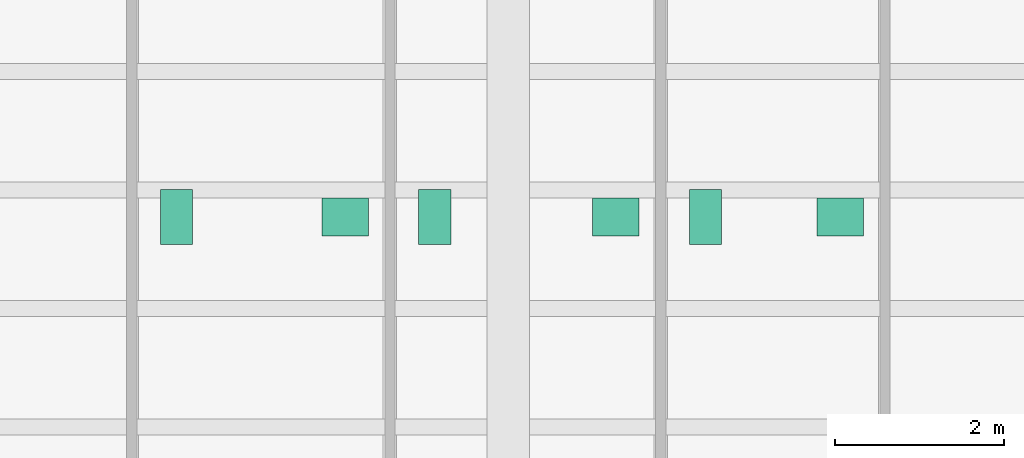
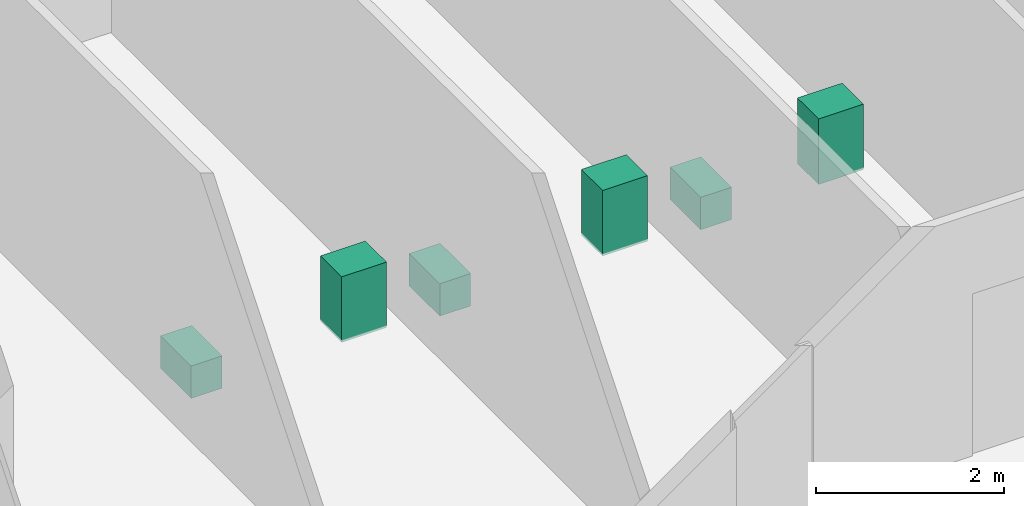
# One storey, part 9 of 9: 6 sanitary terminals.
"""IFC4 building model written with IfcOpenShell, lengths in metres."""

from ifc_helpers import new_model, si_unit, direction, frame, origin, origin_2d, place, context, subcontext, project, spatial, rectangle, extrude, material, type_object, element, save


model = new_model("IFC4")

# Units and contexts
model_context = context("Model", 3, precision=1e-05, world=origin(), true_north=direction((0.0, 1.0)))
body_context = subcontext(model_context, "Body", "Model", "MODEL_VIEW")
ifc_project = project(units=[si_unit("LENGTHUNIT", "METRE"), si_unit("AREAUNIT", "SQUARE_METRE"), si_unit("VOLUMEUNIT", "CUBIC_METRE"), si_unit("PLANEANGLEUNIT", "RADIAN"), si_unit("MASSUNIT", "GRAM", prefix="KILO")], contexts=[model_context])

# Site, building, storey
site_placement = place(None, origin())
site = spatial("IfcSite", under=ifc_project, at=site_placement, CompositionType="ELEMENT")
building_placement = place(site_placement, origin())
building = spatial("IfcBuilding", under=site, at=building_placement, Name="Kranthara Brick Stack", CompositionType="ELEMENT")
storey_placement = place(building_placement, frame((0.0, 0.0, 86.699951171875)))
storey = spatial("IfcBuildingStorey", under=building, at=storey_placement, Name="L21", CompositionType="ELEMENT", Elevation=86.699951171875)

# Sanitary terminals
ifc_material_1 = material(Name="Vitreous china sanitary porcelain", Category="other")
sanitary_terminal_type_1 = type_object("IfcSanitaryTerminalType", Name="SAN-BASIN", PredefinedType="WASHHANDBASIN", material=ifc_material_1)
for number, where, z_axis, x_axis, name in (
    (1, (26.070068359375, 29.985107421875, 0.0), (0.0, 0.0, 1.0), (1.0, 0.0, 0.0), "L21 Washbasin 65"),
    (2, (29.27001953125, 29.985107421875, 0.0), (0.0, 0.0, 1.0), (1.0, 0.0, 0.0), "L21 Washbasin 66"),
    (3, (31.919921875, 29.985107421875, 0.0), (0.0, 0.0, 1.0), (1.0, 0.0, 0.0), "L21 Washbasin 67"),
):
    element("IfcSanitaryTerminal", number, at=place(storey_placement, frame(where, z_axis=z_axis, x_axis=x_axis)), inside=storey, type_object=sanitary_terminal_type_1, Name=name, PredefinedType="WASHHANDBASIN", context=body_context, shape_type="SweptSolid", body=[
        extrude(rectangle(XDim=0.550048828125, YDim=0.449951171875, at=origin_2d()), origin(), (0.0, 0.0, 1.0), 0.85009765625),
    ])
ifc_material_2 = material(Name="Vitreous china sanitary porcelain", Category="other")
sanitary_terminal_type_2 = type_object("IfcSanitaryTerminalType", Name="SAN-WC-PAN", PredefinedType="TOILETPAN", material=ifc_material_2)
for number, where, z_axis, x_axis, name in (
    (4, (24.080078125, 29.985107421875, 0.0), (0.0, 0.0, 1.0), (1.0, 0.0, 0.0), "L21 WC Pan 65"),
    (5, (27.1298828125, 29.985107421875, 0.0), (0.0, 0.0, 1.0), (1.0, 0.0, 0.0), "L21 WC Pan 66"),
    (6, (30.330078125, 29.985107421875, 0.0), (0.0, 0.0, 1.0), (1.0, 0.0, 0.0), "L21 WC Pan 67"),
):
    element("IfcSanitaryTerminal", number, at=place(storey_placement, frame(where, z_axis=z_axis, x_axis=x_axis)), inside=storey, type_object=sanitary_terminal_type_2, Name=name, PredefinedType="TOILETPAN", context=body_context, shape_type="SweptSolid", body=[
        extrude(rectangle(XDim=0.3798828125, YDim=0.64990234375, at=origin_2d()), origin(), (0.0, 0.0, 1.0), 0.419921875),
    ])

save(model, "model.ifc")
